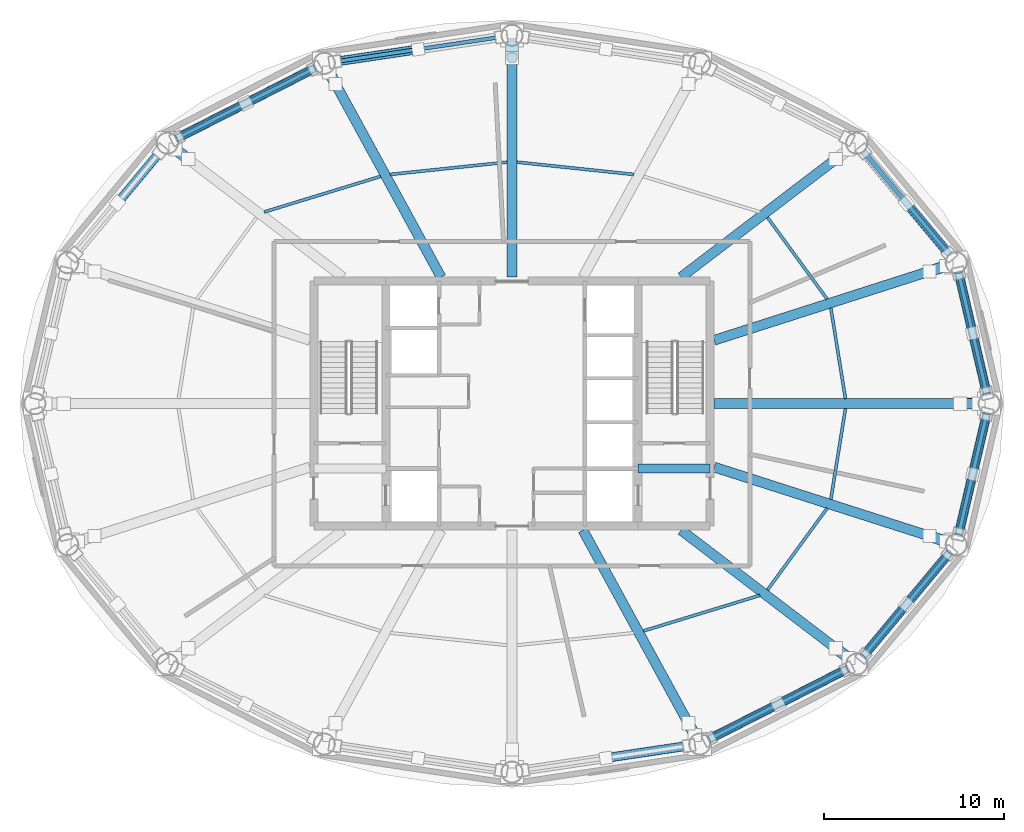
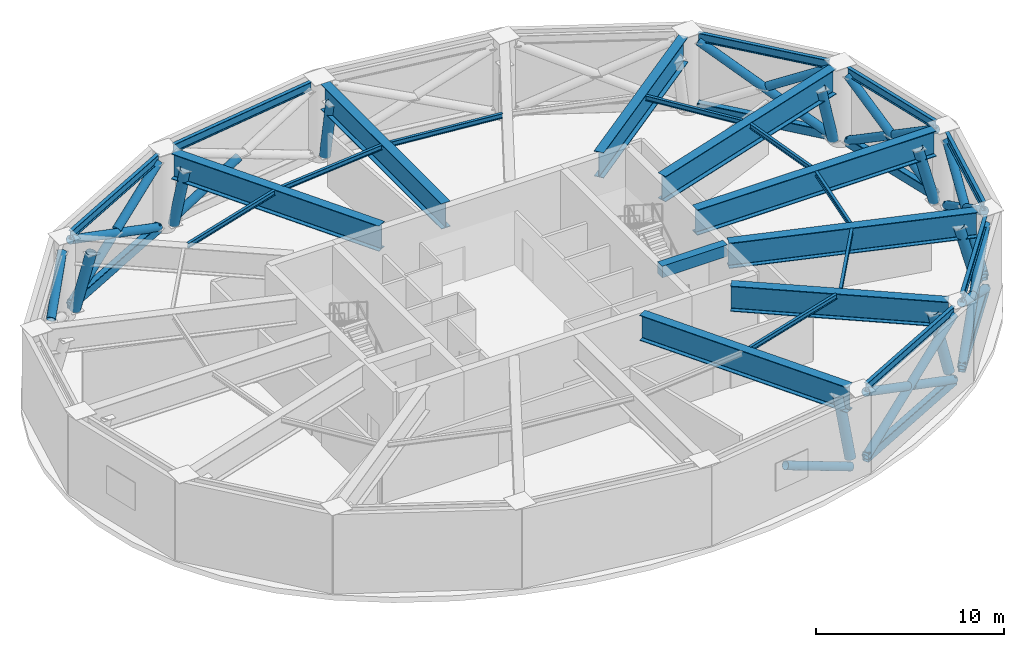
# One storey, part 2 of 8: 34 members, 24 beams.
"""IFC4 building model written with IfcOpenShell, lengths in metres."""

from ifc_helpers import new_model, si_unit, direction, frame, origin, origin_2d, place, context, subcontext, project, spatial, rectangle, hollow_rectangle, hollow_circle, i_section, extrude, material, material_profile, profile_set, type_object, element, save


model = new_model("IFC4")

# Units and contexts
model_context = context("Model", 3, precision=1e-05, world=origin(), true_north=direction((0.0, 1.0)))
body_context = subcontext(model_context, "Body", "Model", "MODEL_VIEW")
ifc_project = project(units=[si_unit("LENGTHUNIT", "METRE"), si_unit("AREAUNIT", "SQUARE_METRE"), si_unit("VOLUMEUNIT", "CUBIC_METRE"), si_unit("PLANEANGLEUNIT", "RADIAN"), si_unit("MASSUNIT", "GRAM", prefix="KILO")], contexts=[model_context])

# Site, building, storey
site_placement = place(None, origin())
site = spatial("IfcSite", under=ifc_project, at=site_placement, CompositionType="ELEMENT")
building_placement = place(site_placement, origin())
building = spatial("IfcBuilding", under=site, at=building_placement, Name="Sarneth Arch Tower", CompositionType="ELEMENT")
storey_placement = place(building_placement, frame((0.0, 0.0, 201.0)))
storey = spatial("IfcBuildingStorey", under=building, at=storey_placement, Name="L51", CompositionType="ELEMENT", Elevation=201.0)

# Beams
ifc_material_1 = material(Name="Steel S355", Category="steel")
ifc_material_profile_1 = material_profile(ifc_material_1, i_section(OverallWidth=0.1669921875, OverallDepth=0.31689453125, WebThickness=0.007568359375, FlangeThickness=0.01318359375, FilletRadius=0.012939453125, at=origin_2d()), Name="W310x52")
ifc_profile_set_1 = profile_set([ifc_material_profile_1], Name="Steel S355")
beam_type_1 = type_object("IfcBeamType", Name="BM-JOIST-310B", PredefinedType="JOIST", material=ifc_profile_set_1)
beam_1_placement = place(storey_placement, frame((66.51220703125, 42.271484375, 4.991455078125), z_axis=(-0.158811323418, 0.987308950407, 0.0), x_axis=(-0.987308950407, -0.158811323418, 0.0)))
element("IfcBeam", 1, at=beam_1_placement, inside=storey, type_object=beam_type_1, Name="L51 Secondary floor joist 01", PredefinedType="JOIST", context=body_context, shape_type="SweptSolid", body=[
    extrude(i_section(OverallWidth=0.1669921875, OverallDepth=0.31689453125, WebThickness=0.007568359375, FlangeThickness=0.01318359375, FilletRadius=0.012939453125, at=origin_2d()), origin(), (0.0, 0.0, 1.0), 5.103759765625),
])
beam_2_placement = place(storey_placement, frame((65.49560546875, 47.80419921875, 4.991455078125), z_axis=(-0.589716738053, 0.807610158963, 0.0), x_axis=(-0.807610158963, -0.589716738053, 0.0)))
element("IfcBeam", 2, at=beam_2_placement, inside=storey, type_object=beam_type_1, Name="L51 Secondary floor joist 02", PredefinedType="JOIST", context=body_context, shape_type="SweptSolid", body=[
    extrude(i_section(OverallWidth=0.1669921875, OverallDepth=0.31689453125, WebThickness=0.007568359375, FlangeThickness=0.01318359375, FilletRadius=0.012939453125, at=origin_2d()), origin(), (0.0, 0.0, 1.0), 5.614501953125),
])
for number, where, z_axis, x_axis, name in (
    (3, (54.761962890625, 54.724853515625, 4.991455078125), (-0.994492117448, 0.104811394099, 0.0), (-0.104811394099, -0.994492117448, 0.0), "L51 Secondary floor joist 04"),
    (4, (47.7265625, 55.40869140625, 4.991455078125), (-0.994492117448, -0.104811394099, 0.0), (0.104811394099, -0.994492117448, 0.0), "L51 Secondary floor joist 05"),
):
    element("IfcBeam", number, at=place(storey_placement, frame(where, z_axis=z_axis, x_axis=x_axis)), inside=storey, type_object=beam_type_1, Name=name, PredefinedType="JOIST", context=body_context, shape_type="SweptSolid", body=[
        extrude(i_section(OverallWidth=0.1669921875, OverallDepth=0.31689453125, WebThickness=0.007568359375, FlangeThickness=0.01318359375, FilletRadius=0.012939453125, at=origin_2d()), origin(), (0.0, 0.0, 1.0), 6.5244140625),
    ])
for number, where, z_axis, x_axis, name in (
    (5, (40.70166015625, 54.615478515625, 4.991455078125), (-0.956343715829, -0.292244242364, 0.0), (0.292244242364, -0.956343715829, 0.0), "L51 Secondary floor joist 06"),
    (6, (55.29833984375, 29.384521484375, 4.991455078125), (0.956343715829, 0.292244242364, 0.0), (-0.292244242364, 0.956343715829, 0.0), "L51 Secondary floor joist 14"),
):
    element("IfcBeam", number, at=place(storey_placement, frame(where, z_axis=z_axis, x_axis=x_axis)), inside=storey, type_object=beam_type_1, Name=name, PredefinedType="JOIST", context=body_context, shape_type="SweptSolid", body=[
        extrude(i_section(OverallWidth=0.1669921875, OverallDepth=0.31689453125, WebThickness=0.007568359375, FlangeThickness=0.01318359375, FilletRadius=0.012939453125, at=origin_2d()), origin(), (0.0, 0.0, 1.0), 6.755859375),
    ])
beam_3_placement = place(storey_placement, frame((62.1845703125, 31.661376953125, 4.991455078125), z_axis=(0.589716738053, 0.807610158963, 0.0), x_axis=(-0.807610158963, 0.589716738053, 0.0)))
element("IfcBeam", 7, at=beam_3_placement, inside=storey, type_object=beam_type_1, Name="L51 Secondary floor joist 15", PredefinedType="JOIST", context=body_context, shape_type="SweptSolid", body=[
    extrude(i_section(OverallWidth=0.1669921875, OverallDepth=0.31689453125, WebThickness=0.007568359375, FlangeThickness=0.01318359375, FilletRadius=0.012939453125, at=origin_2d()), origin(), (0.0, 0.0, 1.0), 5.614501953125),
])
beam_4_placement = place(storey_placement, frame((65.70166015625, 36.689453125, 4.991455078125), z_axis=(0.158811323418, 0.987308950407, 0.0), x_axis=(-0.987308950407, 0.158811323418, 0.0)))
element("IfcBeam", 8, at=beam_4_placement, inside=storey, type_object=beam_type_1, Name="L51 Secondary floor joist 16", PredefinedType="JOIST", context=body_context, shape_type="SweptSolid", body=[
    extrude(i_section(OverallWidth=0.1669921875, OverallDepth=0.31689453125, WebThickness=0.007568359375, FlangeThickness=0.01318359375, FilletRadius=0.012939453125, at=origin_2d()), origin(), (0.0, 0.0, 1.0), 5.103759765625),
])
ifc_material_2 = material(Name="Concrete C50/60", Category="concrete")
ifc_material_profile_2 = material_profile(ifc_material_2, rectangle(XDim=0.5, YDim=0.75, at=origin_2d()), Name="RC-500x750")
ifc_profile_set_2 = profile_set([ifc_material_profile_2], Name="Concrete C50/60")
beam_type_2 = type_object("IfcBeamType", Name="BM-LINTEL-RC", PredefinedType="LINTEL", material=ifc_profile_set_2)
beam_5_placement = place(storey_placement, frame((55.0, 38.39990234375, 4.77490234375), z_axis=(1.0, 0.0, 0.0), x_axis=(0.0, 1.0, 0.0)))
element("IfcBeam", 9, at=beam_5_placement, inside=storey, type_object=beam_type_2, Name="L51 Core coupling lintel E", PredefinedType="LINTEL", context=body_context, shape_type="SweptSolid", body=[
    extrude(rectangle(XDim=0.5, YDim=0.75, at=origin_2d()), origin(), (0.0, 0.0, 1.0), 4.0),
])
ifc_material_3 = material(Name="Steel S355", Category="steel")
ifc_material_profile_3 = material_profile(ifc_material_3, i_section(OverallWidth=0.214111328125, OverallDepth=0.549072265625, WebThickness=0.0146484375, FlangeThickness=0.023681640625, FilletRadius=0.01806640625, at=origin_2d()), Name="W530x138")
ifc_profile_set_3 = profile_set([ifc_material_profile_3], Name="Steel S355")
beam_type_3 = type_object("IfcBeamType", Name="BM-RAD-530A", PredefinedType="BEAM", material=ifc_profile_set_3)
beam_6_placement = place(storey_placement, frame((74.350830078125, 42.584228515625, 4.87548828125), z_axis=(-0.227109937572, 0.973869126863, 0.0), x_axis=(-0.973869126863, -0.227109937572, 0.0)))
element("IfcBeam", 10, at=beam_6_placement, inside=storey, type_object=beam_type_3, Name="L51 Perimeter spandrel beam 01", PredefinedType="BEAM", context=body_context, shape_type="SweptSolid", body=[
    extrude(i_section(OverallWidth=0.214111328125, OverallDepth=0.549072265625, WebThickness=0.0146484375, FlangeThickness=0.023681640625, FilletRadius=0.01806640625, at=origin_2d()), origin(), (0.0, 0.0, 1.0), 6.8359375),
])
beam_7_placement = place(storey_placement, frame((72.278076171875, 50.286865234375, 4.87548828125), z_axis=(-0.640161793626, 0.768240117399, 0.0), x_axis=(-0.768240117399, -0.640161793626, 0.0)))
element("IfcBeam", 11, at=beam_7_placement, inside=storey, type_object=beam_type_3, Name="L51 Perimeter spandrel beam 02", PredefinedType="BEAM", context=body_context, shape_type="SweptSolid", body=[
    extrude(i_section(OverallWidth=0.214111328125, OverallDepth=0.549072265625, WebThickness=0.0146484375, FlangeThickness=0.023681640625, FilletRadius=0.01806640625, at=origin_2d()), origin(), (0.0, 0.0, 1.0), 7.43603515625),
])
beam_8_placement = place(storey_placement, frame((47.406494140625, 62.361328125, 4.87548828125), z_axis=(-0.98902783755, -0.147729267756, 0.0), x_axis=(0.147729267756, -0.98902783755, 0.0)))
element("IfcBeam", 12, at=beam_8_placement, inside=storey, type_object=beam_type_3, Name="L51 Perimeter spandrel beam 05", PredefinedType="BEAM", context=body_context, shape_type="SweptSolid", body=[
    extrude(i_section(OverallWidth=0.214111328125, OverallDepth=0.549072265625, WebThickness=0.0146484375, FlangeThickness=0.023681640625, FilletRadius=0.01806640625, at=origin_2d()), origin(), (0.0, 0.0, 1.0), 9.33740234375),
])
for number, where, z_axis, x_axis, name in (
    (13, (37.04345703125, 60.621337890625, 4.87548828125), (-0.891250372735, -0.453511601945, 0.0), (0.453511601945, -0.891250372735, 0.0), "L51 Perimeter spandrel beam 06"),
    (14, (58.95654296875, 23.378662109375, 4.87548828125), (0.891250372735, 0.453511601945, 0.0), (-0.453511601945, 0.891250372735, 0.0), "L51 Perimeter spandrel beam 14"),
):
    element("IfcBeam", number, at=place(storey_placement, frame(where, z_axis=z_axis, x_axis=x_axis)), inside=storey, type_object=beam_type_3, Name=name, PredefinedType="BEAM", context=body_context, shape_type="SweptSolid", body=[
        extrude(i_section(OverallWidth=0.214111328125, OverallDepth=0.549072265625, WebThickness=0.0146484375, FlangeThickness=0.023681640625, FilletRadius=0.01806640625, at=origin_2d()), origin(), (0.0, 0.0, 1.0), 8.5751953125),
    ])
beam_9_placement = place(storey_placement, frame((67.517822265625, 28.00048828125, 4.87548828125), z_axis=(0.640161793626, 0.768240117399, 0.0), x_axis=(-0.768240117399, 0.640161793626, 0.0)))
element("IfcBeam", 15, at=beam_9_placement, inside=storey, type_object=beam_type_3, Name="L51 Perimeter spandrel beam 15", PredefinedType="BEAM", context=body_context, shape_type="SweptSolid", body=[
    extrude(i_section(OverallWidth=0.214111328125, OverallDepth=0.549072265625, WebThickness=0.0146484375, FlangeThickness=0.023681640625, FilletRadius=0.01806640625, at=origin_2d()), origin(), (0.0, 0.0, 1.0), 7.43603515625),
])
beam_10_placement = place(storey_placement, frame((72.79833984375, 34.758544921875, 4.87548828125), z_axis=(0.227109937572, 0.973869126863, 0.0), x_axis=(-0.973869126863, 0.227109937572, 0.0)))
element("IfcBeam", 16, at=beam_10_placement, inside=storey, type_object=beam_type_3, Name="L51 Perimeter spandrel beam 16", PredefinedType="BEAM", context=body_context, shape_type="SweptSolid", body=[
    extrude(i_section(OverallWidth=0.214111328125, OverallDepth=0.549072265625, WebThickness=0.0146484375, FlangeThickness=0.023681640625, FilletRadius=0.01806640625, at=origin_2d()), origin(), (0.0, 0.0, 1.0), 6.8359375),
])
ifc_material_4 = material(Name="Steel S355", Category="steel")
ifc_material_profile_4 = material_profile(ifc_material_4, i_section(OverallWidth=0.550048828125, OverallDepth=1.64990234375, WebThickness=0.02197265625, FlangeThickness=0.0380859375, FilletRadius=0.02392578125, at=origin_2d()), Name="CVS1650x680")
ifc_profile_set_4 = profile_set([ifc_material_profile_4], Name="Steel S355")
beam_type_4 = type_object("IfcBeamType", Name="BM-XFER-1650", PredefinedType="BEAM", material=ifc_profile_set_4)
beam_11_placement = place(storey_placement, frame((59.22509765625, 42.0, 4.324951171875), z_axis=(1.0, 0.0, 0.0), x_axis=(0.0, 1.0, 0.0)))
element("IfcBeam", 17, at=beam_11_placement, inside=storey, type_object=beam_type_4, Name="L51 Step-taper transfer girder 01", PredefinedType="BEAM", context=body_context, shape_type="SweptSolid", body=[
    extrude(i_section(OverallWidth=0.550048828125, OverallDepth=1.64990234375, WebThickness=0.02197265625, FlangeThickness=0.0380859375, FilletRadius=0.02392578125, at=origin_2d()), origin(), (0.0, 0.0, 1.0), 14.661865234375),
])
beam_12_placement = place(storey_placement, frame((59.22509765625, 45.521484375, 4.324951171875), z_axis=(0.952331568861, 0.305064883182, 0.0), x_axis=(-0.305064883182, 0.952331568861, 0.0)))
element("IfcBeam", 18, at=beam_12_placement, inside=storey, type_object=beam_type_4, Name="L51 Step-taper transfer girder 02", PredefinedType="BEAM", context=body_context, shape_type="SweptSolid", body=[
    extrude(i_section(OverallWidth=0.550048828125, OverallDepth=1.64990234375, WebThickness=0.02197265625, FlangeThickness=0.0380859375, FilletRadius=0.02392578125, at=origin_2d()), origin(), (0.0, 0.0, 1.0), 13.509765625),
])
beam_13_placement = place(storey_placement, frame((57.3876953125, 49.02490234375, 4.324951171875), z_axis=(0.795042662199, 0.606553513949, 0.0), x_axis=(-0.606553513949, 0.795042662199, 0.0)))
element("IfcBeam", 19, at=beam_13_placement, inside=storey, type_object=beam_type_4, Name="L51 Step-taper transfer girder 03", PredefinedType="BEAM", context=body_context, shape_type="SweptSolid", body=[
    extrude(i_section(OverallWidth=0.550048828125, OverallDepth=1.64990234375, WebThickness=0.02197265625, FlangeThickness=0.0380859375, FilletRadius=0.02392578125, at=origin_2d()), origin(), (0.0, 0.0, 1.0), 11.658447265625),
])
beam_14_placement = place(storey_placement, frame((48.0, 49.02490234375, 4.324951171875), z_axis=(0.0, 1.0, 0.0), x_axis=(-1.0, 0.0, 0.0)))
element("IfcBeam", 20, at=beam_14_placement, inside=storey, type_object=beam_type_4, Name="L51 Step-taper transfer girder 05", PredefinedType="BEAM", context=body_context, shape_type="SweptSolid", body=[
    extrude(i_section(OverallWidth=0.550048828125, OverallDepth=1.64990234375, WebThickness=0.02197265625, FlangeThickness=0.0380859375, FilletRadius=0.02392578125, at=origin_2d()), origin(), (0.0, 0.0, 1.0), 12.8251953125),
])
for number, where, z_axis, x_axis, name in (
    (21, (44.0634765625, 49.02490234375, 4.324951171875), (-0.479512409172, 0.8775350987, 0.0), (-0.8775350987, -0.479512409172, 0.0), "L51 Step-taper transfer girder 06"),
    (22, (51.9365234375, 34.97509765625, 4.324951171875), (0.479512409172, -0.8775350987, 0.0), (0.8775350987, 0.479512409172, 0.0), "L51 Step-taper transfer girder 14"),
):
    element("IfcBeam", number, at=place(storey_placement, frame(where, z_axis=z_axis, x_axis=x_axis)), inside=storey, type_object=beam_type_4, Name=name, PredefinedType="BEAM", context=body_context, shape_type="SweptSolid", body=[
        extrude(i_section(OverallWidth=0.550048828125, OverallDepth=1.64990234375, WebThickness=0.02197265625, FlangeThickness=0.0380859375, FilletRadius=0.02392578125, at=origin_2d()), origin(), (0.0, 0.0, 1.0), 12.924560546875),
    ])
beam_15_placement = place(storey_placement, frame((57.3876953125, 34.97509765625, 4.324951171875), z_axis=(0.795042662199, -0.606553513949, 0.0), x_axis=(0.606553513949, 0.795042662199, 0.0)))
element("IfcBeam", 23, at=beam_15_placement, inside=storey, type_object=beam_type_4, Name="L51 Step-taper transfer girder 15", PredefinedType="BEAM", context=body_context, shape_type="SweptSolid", body=[
    extrude(i_section(OverallWidth=0.550048828125, OverallDepth=1.64990234375, WebThickness=0.02197265625, FlangeThickness=0.0380859375, FilletRadius=0.02392578125, at=origin_2d()), origin(), (0.0, 0.0, 1.0), 11.658447265625),
])
beam_16_placement = place(storey_placement, frame((59.22509765625, 38.478515625, 4.324951171875), z_axis=(0.952331568861, -0.305064883182, 0.0), x_axis=(0.305064883182, 0.952331568861, 0.0)))
element("IfcBeam", 24, at=beam_16_placement, inside=storey, type_object=beam_type_4, Name="L51 Step-taper transfer girder 16", PredefinedType="BEAM", context=body_context, shape_type="SweptSolid", body=[
    extrude(i_section(OverallWidth=0.550048828125, OverallDepth=1.64990234375, WebThickness=0.02197265625, FlangeThickness=0.0380859375, FilletRadius=0.02392578125, at=origin_2d()), origin(), (0.0, 0.0, 1.0), 13.509765625),
])

# Members
ifc_material_5 = material(Name="Steel S355", Category="steel")
ifc_material_profile_5 = material_profile(ifc_material_5, hollow_rectangle(XDim=0.39990234375, YDim=0.60009765625, WallThickness=0.02197265625, InnerFilletRadius=0.032958984375, OuterFilletRadius=0.054931640625, at=origin_2d()), Name="RHS600x400x22")
ifc_profile_set_5 = profile_set([ifc_material_profile_5], Name="Steel S355")
member_type_1 = type_object("IfcMemberType", Name="MEM-BELT-CHORD", PredefinedType="CHORD", material=ifc_profile_set_5)
member_1_placement = place(storey_placement, frame((74.350830078125, 42.584228515625, 0.35009765625), z_axis=(-0.227109937572, 0.973869126863, 0.0), x_axis=(-0.973869126863, -0.227109937572, 0.0)))
element("IfcMember", 25, at=member_1_placement, inside=storey, type_object=member_type_1, Name="L51 Ring belt bottom chord 01", PredefinedType="CHORD", context=body_context, shape_type="SweptSolid", body=[
    extrude(hollow_rectangle(XDim=0.39990234375, YDim=0.60009765625, WallThickness=0.02197265625, InnerFilletRadius=0.032958984375, OuterFilletRadius=0.054931640625, at=origin_2d()), origin(), (0.0, 0.0, 1.0), 6.8359375),
])
member_2_placement = place(storey_placement, frame((72.278076171875, 50.286865234375, 0.35009765625), z_axis=(-0.640161793626, 0.768240117399, 0.0), x_axis=(-0.768240117399, -0.640161793626, 0.0)))
element("IfcMember", 26, at=member_2_placement, inside=storey, type_object=member_type_1, Name="L51 Ring belt bottom chord 02", PredefinedType="CHORD", context=body_context, shape_type="SweptSolid", body=[
    extrude(hollow_rectangle(XDim=0.39990234375, YDim=0.60009765625, WallThickness=0.02197265625, InnerFilletRadius=0.032958984375, OuterFilletRadius=0.054931640625, at=origin_2d()), origin(), (0.0, 0.0, 1.0), 7.43603515625),
])
for number, where, z_axis, x_axis, name in (
    (27, (37.04345703125, 60.621337890625, 0.35009765625), (-0.891250372735, -0.453511601945, 0.0), (0.453511601945, -0.891250372735, 0.0), "L51 Ring belt bottom chord 06"),
    (28, (58.95654296875, 23.378662109375, 0.35009765625), (0.891250372735, 0.453511601945, 0.0), (-0.453511601945, 0.891250372735, 0.0), "L51 Ring belt bottom chord 14"),
):
    element("IfcMember", number, at=place(storey_placement, frame(where, z_axis=z_axis, x_axis=x_axis)), inside=storey, type_object=member_type_1, Name=name, PredefinedType="CHORD", context=body_context, shape_type="SweptSolid", body=[
        extrude(hollow_rectangle(XDim=0.39990234375, YDim=0.60009765625, WallThickness=0.02197265625, InnerFilletRadius=0.032958984375, OuterFilletRadius=0.054931640625, at=origin_2d()), origin(), (0.0, 0.0, 1.0), 8.5751953125),
    ])
member_3_placement = place(storey_placement, frame((67.517822265625, 28.00048828125, 0.35009765625), z_axis=(0.640161793626, 0.768240117399, 0.0), x_axis=(-0.768240117399, 0.640161793626, 0.0)))
element("IfcMember", 29, at=member_3_placement, inside=storey, type_object=member_type_1, Name="L51 Ring belt bottom chord 15", PredefinedType="CHORD", context=body_context, shape_type="SweptSolid", body=[
    extrude(hollow_rectangle(XDim=0.39990234375, YDim=0.60009765625, WallThickness=0.02197265625, InnerFilletRadius=0.032958984375, OuterFilletRadius=0.054931640625, at=origin_2d()), origin(), (0.0, 0.0, 1.0), 7.43603515625),
])
member_4_placement = place(storey_placement, frame((72.79833984375, 34.758544921875, 0.35009765625), z_axis=(0.227109937572, 0.973869126863, 0.0), x_axis=(-0.973869126863, 0.227109937572, 0.0)))
element("IfcMember", 30, at=member_4_placement, inside=storey, type_object=member_type_1, Name="L51 Ring belt bottom chord 16", PredefinedType="CHORD", context=body_context, shape_type="SweptSolid", body=[
    extrude(hollow_rectangle(XDim=0.39990234375, YDim=0.60009765625, WallThickness=0.02197265625, InnerFilletRadius=0.032958984375, OuterFilletRadius=0.054931640625, at=origin_2d()), origin(), (0.0, 0.0, 1.0), 6.8359375),
])
ifc_material_6 = material(Name="Steel S355", Category="steel")
ifc_material_profile_6 = material_profile(ifc_material_6, hollow_circle(Radius=0.304931640625, WallThickness=0.02001953125, at=origin_2d()), Name="CHS610x20")
ifc_profile_set_6 = profile_set([ifc_material_profile_6], Name="Steel S355")
member_type_2 = type_object("IfcMemberType", Name="MEM-BELT-DIAG1", PredefinedType="BRACE", material=ifc_profile_set_6)
member_5_placement = place(storey_placement, frame((73.906982421875, 42.0, 0.449951171875), z_axis=(-0.260597496975, 0.0, 0.965447535897), x_axis=(0.0, -1.0, 0.0)))
element("IfcMember", 31, at=member_5_placement, inside=storey, type_object=member_type_2, Name="L51 Step-taper inclined transfer strut 01", PredefinedType="BRACE", context=body_context, shape_type="SweptSolid", body=[
    extrude(hollow_circle(Radius=0.304931640625, WallThickness=0.02001953125, at=origin_2d()), origin(), (0.0, 0.0, 1.0), 3.92822265625),
])
member_6_placement = place(storey_placement, frame((72.10986328125, 49.64892578125, 0.449951171875), z_axis=(-0.240086775575, -0.076934916408, 0.967697968806), x_axis=(0.305161226328, -0.952300701431, 0.0)))
element("IfcMember", 32, at=member_6_placement, inside=storey, type_object=member_type_2, Name="L51 Step-taper inclined transfer strut 02", PredefinedType="BRACE", context=body_context, shape_type="SweptSolid", body=[
    extrude(hollow_circle(Radius=0.304931640625, WallThickness=0.02001953125, at=origin_2d()), origin(), (0.0, 0.0, 1.0), 3.919189453125),
])
member_7_placement = place(storey_placement, frame((48.0, 61.8701171875, 0.449951171875), z_axis=(0.0, -0.17401316033, 0.98474332698), x_axis=(1.0, 0.0, 0.0)))
element("IfcMember", 33, at=member_7_placement, inside=storey, type_object=member_type_2, Name="L51 Step-taper inclined transfer strut 05", PredefinedType="BRACE", context=body_context, shape_type="SweptSolid", body=[
    extrude(hollow_circle(Radius=0.304931640625, WallThickness=0.02001953125, at=origin_2d()), origin(), (0.0, 0.0, 1.0), 3.851318359375),
])
member_8_placement = place(storey_placement, frame((37.856201171875, 60.38427734375, 0.449951171875), z_axis=(0.091381437233, -0.16715345884, 0.981686892103), x_axis=(0.877438774576, 0.47968864576, 0.0)))
element("IfcMember", 34, at=member_8_placement, inside=storey, type_object=member_type_2, Name="L51 Step-taper inclined transfer strut 06", PredefinedType="BRACE", context=body_context, shape_type="SweptSolid", body=[
    extrude(hollow_circle(Radius=0.304931640625, WallThickness=0.02001953125, at=origin_2d()), origin(), (0.0, 0.0, 1.0), 3.86328125),
])
member_9_placement = place(storey_placement, frame((29.327392578125, 56.108642578125, 0.449951171875), z_axis=(0.179125832396, -0.136727701199, 0.974278949733), x_axis=(0.606747374173, 0.794894725064, 0.0)))
element("IfcMember", 35, at=member_9_placement, inside=storey, type_object=member_type_2, Name="L51 Step-taper inclined transfer strut 07", PredefinedType="BRACE", context=body_context, shape_type="SweptSolid", body=[
    extrude(hollow_circle(Radius=0.304931640625, WallThickness=0.02001953125, at=origin_2d()), origin(), (0.0, 0.0, 1.0), 3.892578125),
])
member_10_placement = place(storey_placement, frame((58.143798828125, 23.61572265625, 0.449951171875), z_axis=(-0.091381437233, 0.16715345884, 0.981686892103), x_axis=(-0.877438774576, -0.47968864576, 0.0)))
element("IfcMember", 36, at=member_10_placement, inside=storey, type_object=member_type_2, Name="L51 Step-taper inclined transfer strut 14", PredefinedType="BRACE", context=body_context, shape_type="SweptSolid", body=[
    extrude(hollow_circle(Radius=0.304931640625, WallThickness=0.02001953125, at=origin_2d()), origin(), (0.0, 0.0, 1.0), 3.86328125),
])
member_11_placement = place(storey_placement, frame((66.672607421875, 27.891357421875, 0.449951171875), z_axis=(-0.179125832396, 0.136727701199, 0.974278949733), x_axis=(-0.606747374173, -0.794894725064, 0.0)))
element("IfcMember", 37, at=member_11_placement, inside=storey, type_object=member_type_2, Name="L51 Step-taper inclined transfer strut 15", PredefinedType="BRACE", context=body_context, shape_type="SweptSolid", body=[
    extrude(hollow_circle(Radius=0.304931640625, WallThickness=0.02001953125, at=origin_2d()), origin(), (0.0, 0.0, 1.0), 3.892578125),
])
member_12_placement = place(storey_placement, frame((72.10986328125, 34.35107421875, 0.449951171875), z_axis=(-0.240086775575, 0.076934916408, 0.967697968806), x_axis=(-0.305161226328, -0.952300701431, 0.0)))
element("IfcMember", 38, at=member_12_placement, inside=storey, type_object=member_type_2, Name="L51 Step-taper inclined transfer strut 16", PredefinedType="BRACE", context=body_context, shape_type="SweptSolid", body=[
    extrude(hollow_circle(Radius=0.304931640625, WallThickness=0.02001953125, at=origin_2d()), origin(), (0.0, 0.0, 1.0), 3.919189453125),
])
ifc_material_7 = material(Name="Steel S355", Category="steel")
ifc_material_profile_7 = material_profile(ifc_material_7, hollow_circle(Radius=0.25390625, WallThickness=0.01611328125, at=origin_2d()), Name="CHS508x16")
ifc_profile_set_7 = profile_set([ifc_material_profile_7], Name="Steel S355")
member_type_3 = type_object("IfcMemberType", Name="MEM-BELT-DIAG2", PredefinedType="BRACE", material=ifc_profile_set_7)
member_13_placement = place(storey_placement, frame((74.350830078125, 42.584228515625, 0.35009765625), z_axis=(-0.193113294328, 0.828088270128, 0.526286112708), x_axis=(-0.973869126863, -0.227109937572, 0.0)))
element("IfcMember", 39, at=member_13_placement, inside=storey, type_object=member_type_3, Name="L51 Ring belt continuous diagonal A01", PredefinedType="BRACE", context=body_context, shape_type="SweptSolid", body=[
    extrude(hollow_circle(Radius=0.25390625, WallThickness=0.01611328125, at=origin_2d()), origin(), (0.0, 0.0, 1.0), 8.039306640625),
])
for number, where, z_axis, x_axis, name in (
    (40, (72.79833984375, 49.241455078125, 0.35009765625), (0.193129693908, -0.828087279112, 0.526281654158), (0.973864800855, 0.227128487107, 0.0), "L51 Ring belt split diagonal B1-01"),
    (41, (73.622802734375, 45.705810546875, 2.59716796875), (0.193129693908, -0.828087279112, 0.526281654158), (0.973864800855, 0.227128487107, 0.0), "L51 Ring belt split diagonal B2-01"),
):
    element("IfcMember", number, at=place(storey_placement, frame(where, z_axis=z_axis, x_axis=x_axis)), inside=storey, type_object=member_type_3, Name=name, PredefinedType="BRACE", context=body_context, shape_type="SweptSolid", body=[
        extrude(hollow_circle(Radius=0.25390625, WallThickness=0.01611328125, at=origin_2d()), origin(), (0.0, 0.0, 1.0), 3.76953125),
    ])
member_14_placement = place(storey_placement, frame((72.278076171875, 50.286865234375, 0.35009765625), z_axis=(-0.556401623434, 0.667721899001, 0.494534830962), x_axis=(-0.768240117399, -0.640161793626, 0.0)))
element("IfcMember", 42, at=member_14_placement, inside=storey, type_object=member_type_3, Name="L51 Ring belt continuous diagonal A02", PredefinedType="BRACE", context=body_context, shape_type="SweptSolid", body=[
    extrude(hollow_circle(Radius=0.25390625, WallThickness=0.01611328125, at=origin_2d()), origin(), (0.0, 0.0, 1.0), 8.555419921875),
])
member_15_placement = place(storey_placement, frame((70.037109375, 52.97607421875, 2.589111328125), z_axis=(0.55640160029, -0.667694043707, 0.494572465057), x_axis=(0.768226996265, 0.640177539602, 0.0)))
element("IfcMember", 43, at=member_15_placement, inside=storey, type_object=member_type_3, Name="L51 Ring belt split diagonal B2-02", PredefinedType="BRACE", context=body_context, shape_type="SweptSolid", body=[
    extrude(hollow_circle(Radius=0.25390625, WallThickness=0.01611328125, at=origin_2d()), origin(), (0.0, 0.0, 1.0), 4.027587890625),
])
member_16_placement = place(storey_placement, frame((38.171630859375, 60.98193359375, 0.35009765625), z_axis=(0.900872309143, 0.134547490116, 0.412705773551), x_axis=(-0.147714073559, 0.98903010696, 0.0)))
element("IfcMember", 44, at=member_16_placement, inside=storey, type_object=member_type_3, Name="L51 Ring belt split diagonal B1-05", PredefinedType="BRACE", context=body_context, shape_type="SweptSolid", body=[
    extrude(hollow_circle(Radius=0.25390625, WallThickness=0.01611328125, at=origin_2d()), origin(), (0.0, 0.0, 1.0), 4.875732421875),
])
member_17_placement = place(storey_placement, frame((37.04345703125, 60.621337890625, 0.35009765625), z_axis=(-0.799257686212, -0.406701242131, 0.442471751279), x_axis=(0.453511601945, -0.891250372735, 0.0)))
element("IfcMember", 45, at=member_17_placement, inside=storey, type_object=member_type_3, Name="L51 Ring belt continuous diagonal A06", PredefinedType="BRACE", context=body_context, shape_type="SweptSolid", body=[
    extrude(hollow_circle(Radius=0.25390625, WallThickness=0.01611328125, at=origin_2d()), origin(), (0.0, 0.0, 1.0), 9.56201171875),
])
for number, where, z_axis, x_axis, name in (
    (46, (29.40087890625, 56.732421875, 0.35009765625), (0.79926517536, 0.406690949414, 0.442467683703), (-0.453499109667, 0.891256729305, 0.0), "L51 Ring belt split diagonal B1-06"),
    (47, (33.421875, 58.778564453125, 2.576171875), (0.79926517536, 0.406690949414, 0.442467683703), (-0.453499109667, 0.891256729305, 0.0), "L51 Ring belt split diagonal B2-06"),
):
    element("IfcMember", number, at=place(storey_placement, frame(where, z_axis=z_axis, x_axis=x_axis)), inside=storey, type_object=member_type_3, Name=name, PredefinedType="BRACE", context=body_context, shape_type="SweptSolid", body=[
        extrude(hollow_circle(Radius=0.25390625, WallThickness=0.01611328125, at=origin_2d()), origin(), (0.0, 0.0, 1.0), 4.53125),
    ])
member_18_placement = place(storey_placement, frame((26.2412109375, 53.31005859375, 2.589111328125), z_axis=(0.556379081128, 0.667727634568, 0.494552448297), x_axis=(-0.768255576844, 0.640143240727, 0.0)))
element("IfcMember", 48, at=member_18_placement, inside=storey, type_object=member_type_3, Name="L51 Ring belt split diagonal B2-07", PredefinedType="BRACE", context=body_context, shape_type="SweptSolid", body=[
    extrude(hollow_circle(Radius=0.25390625, WallThickness=0.01611328125, at=origin_2d()), origin(), (0.0, 0.0, 1.0), 4.02783203125),
])
member_19_placement = place(storey_placement, frame((57.828369140625, 23.01806640625, 0.35009765625), z_axis=(-0.900872309143, -0.134547490116, 0.412705773551), x_axis=(0.147714073559, -0.98903010696, 0.0)))
element("IfcMember", 49, at=member_19_placement, inside=storey, type_object=member_type_3, Name="L51 Ring belt split diagonal B1-13", PredefinedType="BRACE", context=body_context, shape_type="SweptSolid", body=[
    extrude(hollow_circle(Radius=0.25390625, WallThickness=0.01611328125, at=origin_2d()), origin(), (0.0, 0.0, 1.0), 4.875732421875),
])
member_20_placement = place(storey_placement, frame((58.95654296875, 23.378662109375, 0.35009765625), z_axis=(0.799257686212, 0.406701242131, 0.442471751279), x_axis=(-0.453511601945, 0.891250372735, 0.0)))
element("IfcMember", 50, at=member_20_placement, inside=storey, type_object=member_type_3, Name="L51 Ring belt continuous diagonal A14", PredefinedType="BRACE", context=body_context, shape_type="SweptSolid", body=[
    extrude(hollow_circle(Radius=0.25390625, WallThickness=0.01611328125, at=origin_2d()), origin(), (0.0, 0.0, 1.0), 9.56201171875),
])
for number, where, z_axis, x_axis, name in (
    (51, (66.59912109375, 27.267578125, 0.35009765625), (-0.79926517536, -0.406690949414, 0.442467683703), (0.453499109667, -0.891256729305, 0.0), "L51 Ring belt split diagonal B1-14"),
    (52, (62.578125, 25.221435546875, 2.576171875), (-0.79926517536, -0.406690949414, 0.442467683703), (0.453499109667, -0.891256729305, 0.0), "L51 Ring belt split diagonal B2-14"),
):
    element("IfcMember", number, at=place(storey_placement, frame(where, z_axis=z_axis, x_axis=x_axis)), inside=storey, type_object=member_type_3, Name=name, PredefinedType="BRACE", context=body_context, shape_type="SweptSolid", body=[
        extrude(hollow_circle(Radius=0.25390625, WallThickness=0.01611328125, at=origin_2d()), origin(), (0.0, 0.0, 1.0), 4.53125),
    ])
member_21_placement = place(storey_placement, frame((67.517822265625, 28.00048828125, 0.35009765625), z_axis=(0.556401623434, 0.667721899001, 0.494534830962), x_axis=(-0.768240117399, 0.640161793626, 0.0)))
element("IfcMember", 53, at=member_21_placement, inside=storey, type_object=member_type_3, Name="L51 Ring belt continuous diagonal A15", PredefinedType="BRACE", context=body_context, shape_type="SweptSolid", body=[
    extrude(hollow_circle(Radius=0.25390625, WallThickness=0.01611328125, at=origin_2d()), origin(), (0.0, 0.0, 1.0), 8.555419921875),
])
member_22_placement = place(storey_placement, frame((72.278076171875, 33.713134765625, 0.35009765625), z_axis=(-0.556418280603, -0.667714060447, 0.494526673185), x_axis=(0.768226996265, -0.640177539602, 0.0)))
element("IfcMember", 54, at=member_22_placement, inside=storey, type_object=member_type_3, Name="L51 Ring belt split diagonal B1-15", PredefinedType="BRACE", context=body_context, shape_type="SweptSolid", body=[
    extrude(hollow_circle(Radius=0.25390625, WallThickness=0.01611328125, at=origin_2d()), origin(), (0.0, 0.0, 1.0), 4.027587890625),
])
member_23_placement = place(storey_placement, frame((69.7587890625, 30.68994140625, 2.589111328125), z_axis=(-0.556379081128, -0.667727634568, 0.494552448297), x_axis=(0.768255576844, -0.640143240727, 0.0)))
element("IfcMember", 55, at=member_23_placement, inside=storey, type_object=member_type_3, Name="L51 Ring belt split diagonal B2-15", PredefinedType="BRACE", context=body_context, shape_type="SweptSolid", body=[
    extrude(hollow_circle(Radius=0.25390625, WallThickness=0.01611328125, at=origin_2d()), origin(), (0.0, 0.0, 1.0), 4.02783203125),
])
member_24_placement = place(storey_placement, frame((72.79833984375, 34.758544921875, 0.35009765625), z_axis=(0.193113294328, 0.828088270128, 0.526286112708), x_axis=(-0.973869126863, 0.227109937572, 0.0)))
element("IfcMember", 56, at=member_24_placement, inside=storey, type_object=member_type_3, Name="L51 Ring belt continuous diagonal A16", PredefinedType="BRACE", context=body_context, shape_type="SweptSolid", body=[
    extrude(hollow_circle(Radius=0.25390625, WallThickness=0.01611328125, at=origin_2d()), origin(), (0.0, 0.0, 1.0), 8.039306640625),
])
for number, where, z_axis, x_axis, name in (
    (57, (74.350830078125, 41.415771484375, 0.35009765625), (-0.193129693908, -0.828087279112, 0.526281654158), (0.973864800855, -0.227128487107, 0.0), "L51 Ring belt split diagonal B1-16"),
    (58, (73.5263671875, 37.880126953125, 2.59716796875), (-0.193129693908, -0.828087279112, 0.526281654158), (0.973864800855, -0.227128487107, 0.0), "L51 Ring belt split diagonal B2-16"),
):
    element("IfcMember", number, at=place(storey_placement, frame(where, z_axis=z_axis, x_axis=x_axis)), inside=storey, type_object=member_type_3, Name=name, PredefinedType="BRACE", context=body_context, shape_type="SweptSolid", body=[
        extrude(hollow_circle(Radius=0.25390625, WallThickness=0.01611328125, at=origin_2d()), origin(), (0.0, 0.0, 1.0), 3.76953125),
    ])

save(model, "model.ifc")
